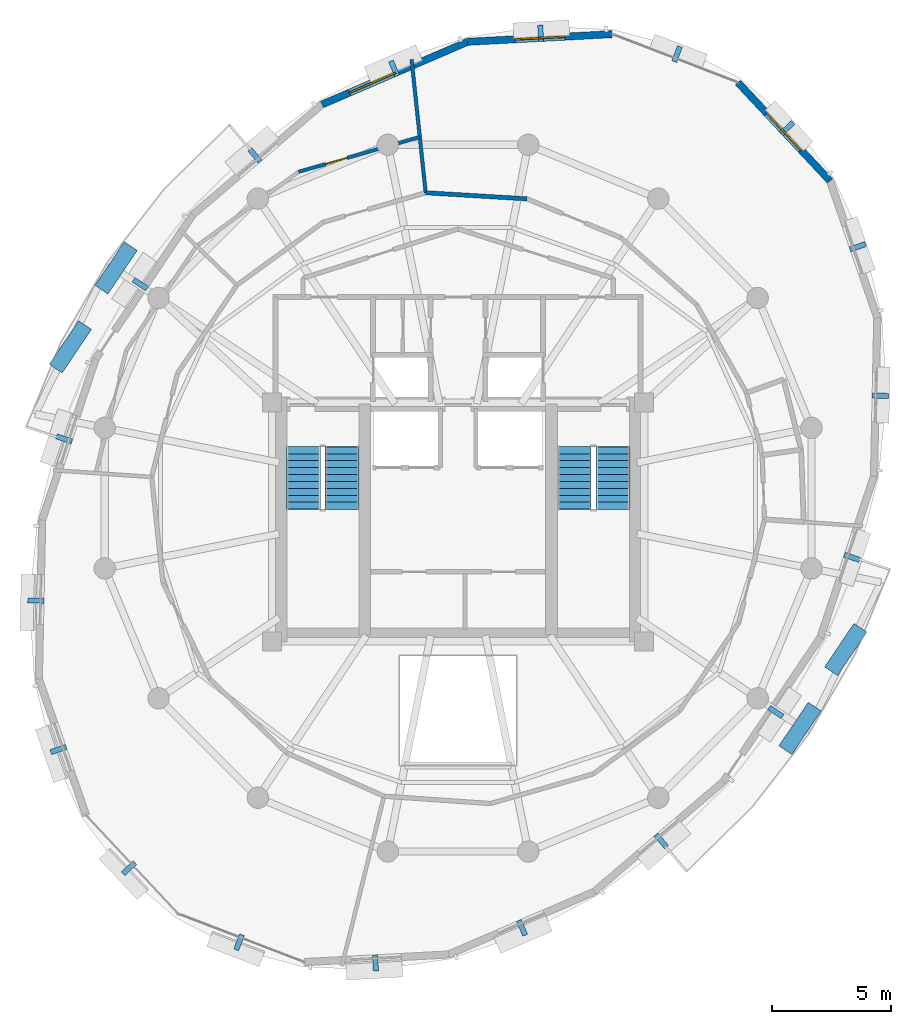
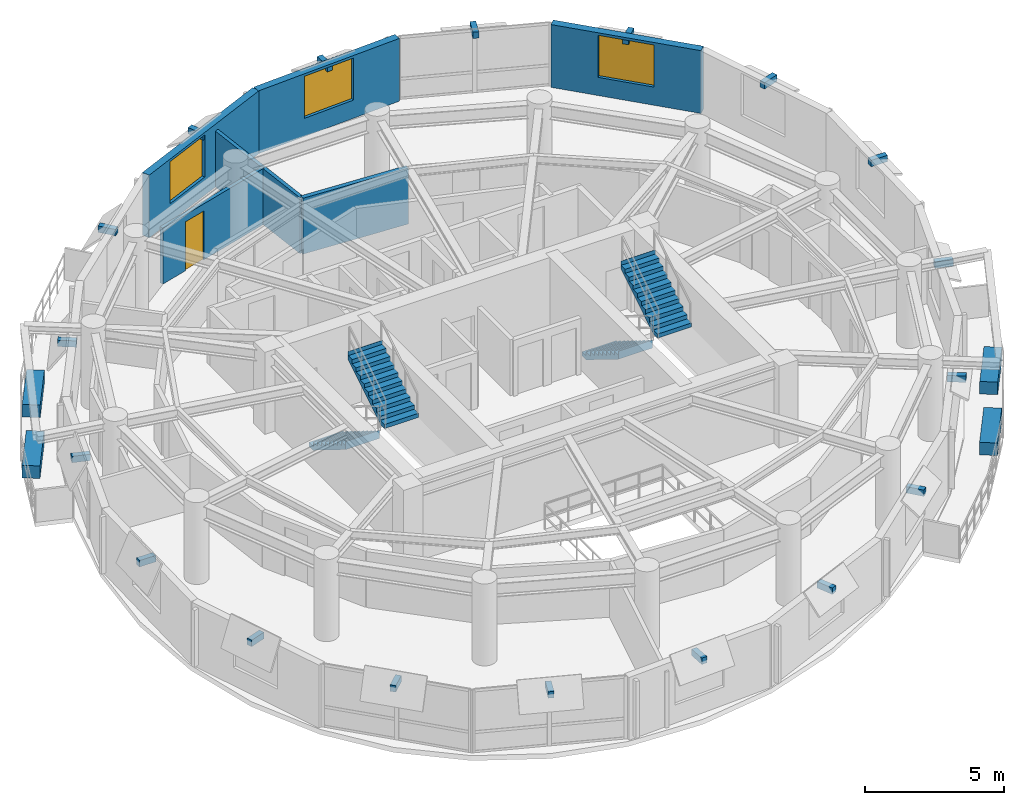
# One storey, part 9 of 11: 22 discrete accessories, 6 walls, 4 stair flights, 3 windows, 1 door, 4 openings, 2 elements without a shape of their own.
"""IFC4 building model written with IfcOpenShell, lengths in metres."""

from ifc_helpers import new_model, si_unit, direction, frame, frame_2d, origin, origin_2d, place, context, subcontext, project, spatial, polyline, rectangle, outline, extrude, material, layer, layer_set, type_object, element, fill, aggregate, save


model = new_model("IFC4")

# Units and contexts
model_context = context("Model", 3, precision=1e-05, world=origin(), true_north=direction((0.0, 1.0)))
body_context = subcontext(model_context, "Body", "Model", "MODEL_VIEW")
ifc_project = project(units=[si_unit("LENGTHUNIT", "METRE"), si_unit("AREAUNIT", "SQUARE_METRE"), si_unit("VOLUMEUNIT", "CUBIC_METRE"), si_unit("PLANEANGLEUNIT", "RADIAN"), si_unit("MASSUNIT", "GRAM", prefix="KILO"), si_unit("THERMODYNAMICTEMPERATUREUNIT", "KELVIN"), si_unit("POWERUNIT", "WATT")], contexts=[model_context])

# Site, building, storey
site_placement = place(None, origin())
site = spatial("IfcSite", under=ifc_project, at=site_placement, CompositionType="ELEMENT")
building_placement = place(site_placement, origin())
building = spatial("IfcBuilding", under=site, at=building_placement, Name="Ocrelia Relay Tower", CompositionType="ELEMENT")
storey_placement = place(building_placement, frame((0.0, 0.0, 262.800048828125)))
storey = spatial("IfcBuildingStorey", under=building, at=storey_placement, Name="L65", CompositionType="ELEMENT", Elevation=262.800048828125)

# Wall
ifc_material_1 = material(Name="Gypsum Fireboard Partition EI60", Category="gypsum")
ifc_layer_1 = layer(ifc_material_1, 0.179931640625, Name="Gypsum Fireboard Partition EI60")
ifc_layer_set_1 = layer_set([ifc_layer_1], Name="Gypsum Fireboard Partition EI60")
wall_type_1 = type_object("IfcWallType", Name="W-CORR-EI60-180", PredefinedType="PARTITIONING", material=ifc_layer_set_1)
wall_1_placement = place(storey_placement, frame((36.88427734375, 38.542724609375, 0.0), z_axis=(0.0, 0.0, 1.0), x_axis=(-0.998188316722, 0.06016713688, 0.0)))
element("IfcWall", 1, at=wall_1_placement, inside=storey, type_object=wall_type_1, Name="L65 Archive Vault Store East Corridor Partition 4", PredefinedType="PARTITIONING", context=body_context, shape_type="SweptSolid", body=[
    extrude(rectangle(XDim=4.24853515625, YDim=0.179931640625, at=frame_2d((2.124267578125, 0.0))), origin(), (0.0, 0.0, 1.0), 2.4599609375),
])

# Wall, opening, window
ifc_material_2 = material(Name="Precast concrete C40/50 with oxide terracotta", Category="masonry")
ifc_layer_2 = layer(ifc_material_2, 0.300048828125, Name="Precast concrete C40/50 with oxide terracotta")
ifc_layer_set_2 = layer_set([ifc_layer_2], Name="Precast concrete C40/50 with oxide terracotta")
wall_type_2 = type_object("IfcWallType", Name="W-EXT-TERR-300", PredefinedType="SOLIDWALL", material=ifc_layer_set_2)
wall_2_placement = place(storey_placement, frame((40.452880859375, 45.444580078125, 0.0), z_axis=(0.0, 0.0, 1.0), x_axis=(-0.998600866894, -0.052880134633, 0.0)))
wall_2 = element("IfcWall", 2, at=wall_2_placement, inside=storey, type_object=wall_type_2, Name="L65 Oxide Terracotta Facade Wall 02", PredefinedType="SOLIDWALL", context=body_context, shape_type="SweptSolid", body=[
    extrude(rectangle(XDim=6.06201171875, YDim=0.300048828125, at=frame_2d((3.031005859375, 0.0))), origin(), (0.0, 0.0, 1.0), 2.760009765625),
])
opening_1_placement = place(wall_2_placement, frame((1.98095703125, 0.0, 0.800048828125)))
opening_1 = element("IfcOpeningElement", 3, at=opening_1_placement, cuts=wall_2, Name="Opening W-07", PredefinedType="OPENING", context=body_context, shape_type="SweptSolid", body=[
    extrude(rectangle(XDim=2.10009765625, YDim=1.85009765625, at=frame_2d((1.050048828125, 0.925048828125))), frame((0.0, 0.16015625, 0.0), z_axis=(0.0, -1.0, 0.0), x_axis=(1.0, 0.0, 0.0)), (0.0, 0.0, 1.0), 0.320068359375),
])
ifc_material_3 = material(Name="Clear double-glazed low-E glass", Category="glass")
window_type = type_object("IfcWindowType", Name="WIN-Z4-2100x2200", PartitioningType="DOUBLE_PANEL_VERTICAL", PredefinedType="WINDOW", material=ifc_material_3)
window_1_placement = place(opening_1_placement, origin())
window_1 = element("IfcWindow", 4, at=window_1_placement, inside=storey, type_object=window_type, Name="L65 Facade Module Window 02", OverallHeight=1.85009765625, OverallWidth=2.10009765625, PartitioningType="SINGLE_PANEL", PredefinedType="WINDOW", context=body_context, shape_type="SweptSolid", body=[
    extrude(rectangle(XDim=2.10009765625, YDim=1.85009765625, at=frame_2d((1.050048828125, 0.925048828125))), frame((0.0, 0.030029296875, 0.0), z_axis=(0.0, -1.0, 0.0), x_axis=(1.0, 0.0, 0.0)), (0.0, 0.0, 1.0), 0.06005859375),
])
fill(opening_1, window_1)

wall_3_placement = place(storey_placement, frame((34.3994140625, 45.1240234375, 0.0), z_axis=(0.0, 0.0, 1.0), x_axis=(-0.918476494061, -0.395475574287, 0.0)))
wall_3 = element("IfcWall", 5, at=wall_3_placement, inside=storey, type_object=wall_type_2, Name="L65 Oxide Terracotta Facade Wall 03", PredefinedType="SOLIDWALL", context=body_context, shape_type="SweptSolid", body=[
    extrude(rectangle(XDim=6.64306640625, YDim=0.300048828125, at=frame_2d((3.321533203125, 0.0))), origin(), (0.0, 0.0, 1.0), 2.760009765625),
])
opening_2_placement = place(wall_3_placement, frame((3.2919921875, 0.0, 0.800048828125)))
opening_2 = element("IfcOpeningElement", 6, at=opening_2_placement, cuts=wall_3, Name="Opening W-07", PredefinedType="OPENING", context=body_context, shape_type="SweptSolid", body=[
    extrude(rectangle(XDim=2.10009765625, YDim=1.85009765625, at=frame_2d((1.050048828125, 0.925048828125))), frame((0.0, 0.16015625, 0.0), z_axis=(0.0, -1.0, 0.0), x_axis=(1.0, 0.0, 0.0)), (0.0, 0.0, 1.0), 0.320068359375),
])
window_2_placement = place(opening_2_placement, origin())
window_2 = element("IfcWindow", 7, at=window_2_placement, inside=storey, type_object=window_type, Name="L65 Facade Module Window 03", OverallHeight=1.85009765625, OverallWidth=2.10009765625, PartitioningType="SINGLE_PANEL", PredefinedType="WINDOW", context=body_context, shape_type="SweptSolid", body=[
    extrude(rectangle(XDim=2.10009765625, YDim=1.85009765625, at=frame_2d((1.050048828125, 0.925048828125))), frame((0.0, 0.030029296875, 0.0), z_axis=(0.0, -1.0, 0.0), x_axis=(1.0, 0.0, 0.0)), (0.0, 0.0, 1.0), 0.06005859375),
])
fill(opening_2, window_2)

wall_4_placement = place(storey_placement, frame((49.58837890625, 39.294189453125, 0.0), z_axis=(0.0, 0.0, 1.0), x_axis=(-0.683255240802, 0.730179618941, 0.0)))
wall_4 = element("IfcWall", 8, at=wall_4_placement, inside=storey, type_object=wall_type_2, Name="L65 Oxide Terracotta Facade Wall 18", PredefinedType="SOLIDWALL", context=body_context, shape_type="SweptSolid", body=[
    extrude(rectangle(XDim=5.650390625, YDim=0.300048828125, at=frame_2d((2.8251953125, 0.0))), origin(), (0.0, 0.0, 1.0), 2.760009765625),
])
opening_3_placement = place(wall_4_placement, frame((1.77490234375, 0.0, 0.800048828125)))
opening_3 = element("IfcOpeningElement", 9, at=opening_3_placement, cuts=wall_4, Name="Opening W-07", PredefinedType="OPENING", context=body_context, shape_type="SweptSolid", body=[
    extrude(rectangle(XDim=2.10009765625, YDim=1.85009765625, at=frame_2d((1.050048828125, 0.925048828125))), frame((0.0, 0.16015625, 0.0), z_axis=(0.0, -1.0, 0.0), x_axis=(1.0, 0.0, 0.0)), (0.0, 0.0, 1.0), 0.320068359375),
])
window_3_placement = place(opening_3_placement, origin())
window_3 = element("IfcWindow", 10, at=window_3_placement, inside=storey, type_object=window_type, Name="L65 Facade Module Window 18", OverallHeight=1.85009765625, OverallWidth=2.10009765625, PartitioningType="SINGLE_PANEL", PredefinedType="WINDOW", context=body_context, shape_type="SweptSolid", body=[
    extrude(rectangle(XDim=2.10009765625, YDim=1.85009765625, at=frame_2d((1.050048828125, 0.925048828125))), frame((0.0, 0.030029296875, 0.0), z_axis=(0.0, -1.0, 0.0), x_axis=(1.0, 0.0, 0.0)), (0.0, 0.0, 1.0), 0.06005859375),
])
fill(opening_3, window_3)

# Wall
ifc_material_4 = material(Name="Acoustic Fireboard Partition EI60", Category="gypsum")
ifc_layer_3 = layer(ifc_material_4, 0.14990234375, Name="Acoustic Fireboard Partition EI60")
ifc_layer_set_3 = layer_set([ifc_layer_3], Name="Acoustic Fireboard Partition EI60")
wall_type_3 = type_object("IfcWallType", Name="W-PART-150", PredefinedType="PARTITIONING", material=ifc_layer_set_3)
wall_5_placement = place(storey_placement, frame((32.6435546875, 38.79833984375, 0.0), z_axis=(0.0, 0.0, 1.0), x_axis=(-0.105410494611, 0.994428794648, 0.0)))
element("IfcWall", 11, at=wall_5_placement, inside=storey, type_object=wall_type_3, Name="L65 Archive Vault Store East Radial Partition", PredefinedType="PARTITIONING", context=body_context, shape_type="SweptSolid", body=[
    extrude(rectangle(XDim=5.62109375, YDim=0.14990234375, at=frame_2d((2.810546875, 0.0))), origin(), (0.0, 0.0, 1.0), 2.4599609375),
])

# Wall, opening, door
wall_6_placement = place(storey_placement, frame((32.39599609375, 41.13525390625, 0.0), z_axis=(0.0, 0.0, 1.0), x_axis=(-0.961020381867, -0.276477531882, 0.0)))
wall_6 = element("IfcWall", 12, at=wall_6_placement, inside=storey, type_object=wall_type_3, Name="L65 Perimeter Registry Store A Mid-Ring Partition 1", PredefinedType="PARTITIONING", context=body_context, shape_type="SweptSolid", body=[
    extrude(rectangle(XDim=5.285888671875, YDim=0.14990234375, at=frame_2d((2.64306640625, 0.0))), origin(), (0.0, 0.0, 1.0), 2.4599609375),
])
opening_4_placement = place(wall_6_placement, frame((3.161865234375, 0.0, 0.0)))
opening_4 = element("IfcOpeningElement", 13, at=opening_4_placement, cuts=wall_6, Name="Opening D-RM95", PredefinedType="OPENING", context=body_context, shape_type="SweptSolid", body=[
    extrude(rectangle(XDim=0.949951171875, YDim=2.14990234375, at=frame_2d((0.47509765625, 1.074951171875))), frame((0.0, 0.0849609375, 0.0), z_axis=(0.0, -1.0, 0.0), x_axis=(1.0, 0.0, 0.0)), (0.0, 0.0, 1.0), 0.169921875),
])
ifc_material_5 = material(Name="Acoustic oak veneer fire door", Category="wood")
door_type = type_object("IfcDoorType", Name="DR-ROOM-950", OperationType="NOTDEFINED", PredefinedType="DOOR", material=ifc_material_5)
door_placement = place(opening_4_placement, origin())
door = element("IfcDoor", 14, at=door_placement, inside=storey, type_object=door_type, Name="L65 Perimeter Registry Store A Connecting Door", OperationType="SINGLE_SWING_RIGHT", OverallHeight=2.14990234375, OverallWidth=0.949951171875, PredefinedType="DOOR", context=body_context, shape_type="SweptSolid", body=[
    extrude(rectangle(XDim=0.949951171875, YDim=2.14990234375, at=frame_2d((0.47509765625, 1.074951171875))), frame((0.0, 0.02490234375, 0.0), z_axis=(0.0, -1.0, 0.0), x_axis=(1.0, 0.0, 0.0)), (0.0, 0.0, 1.0), 0.050048828125),
])
fill(opening_4, door)

# Stair, stair flights
ifc_material_6 = material(Name="Concrete C50/60", Category="concrete")
stair_type = type_object("IfcStairType", Name="ST-DL-1420-R180", PredefinedType="HALF_TURN_STAIR", material=ifc_material_6)
stair_1_placement = place(storey_placement, origin())
stair_1 = element("IfcStair", 15, at=stair_1_placement, inside=storey, type_object=stair_type, Name="L65 West Core Exit Stair ST1", PredefinedType="HALF_TURN_STAIR")
stair_flight_type = type_object("IfcStairFlightType", Name="STF-DL-1420-R180", PredefinedType="STRAIGHT", material=ifc_material_6)
stair_flight_1_placement = place(storey_placement, frame((27.52001953125, 28.14990234375, 0.0), z_axis=(0.0, 0.0, 1.0), x_axis=(0.0, -1.0, 0.0)))
stair_flight_1 = element("IfcStairFlight", 16, at=stair_flight_1_placement, type_object=stair_flight_type, Name="ST1 flight 1", NumberOfRisers=10, NumberOfTreads=9, PredefinedType="STRAIGHT", RiserHeight=0.18, TreadLength=0.29, context=body_context, shape_type="SweptSolid", body=[
    extrude(outline(polyline([(-0.008056640625, 0.0), (-0.008056640625, 0.179931640625), (0.0, 0.179931640625), (0.2900390625, 0.179931640625), (0.2900390625, 0.360107421875), (0.580078125, 0.360107421875), (0.580078125, 0.5400390625), (0.8701171875, 0.5400390625), (0.8701171875, 0.719970703125), (1.159912109375, 0.719970703125), (1.159912109375, 0.89990234375), (1.449951171875, 0.89990234375), (1.449951171875, 1.080078125), (1.739990234375, 1.080078125), (1.739990234375, 1.260009765625), (2.030029296875, 1.260009765625), (2.030029296875, 1.43994140625), (2.320068359375, 1.43994140625), (2.320068359375, 1.6201171875), (2.610107421875, 1.6201171875), (2.610107421875, 1.800048828125), (2.617919921875, 1.800048828125), (2.617919921875, 1.443603515625), (0.2841796875, 0.0), (-0.008056640625, 0.0)])), frame((0.0, 0.7099609375, 0.0), z_axis=(0.0, -1.0, 0.0), x_axis=(1.0, 0.0, 0.0)), (0.0, 0.0, 1.0), 1.419921875),
])
stair_flight_2_placement = place(storey_placement, frame((29.139892578125, 25.5400390625, 1.800048828125), z_axis=(0.0, 0.0, 1.0), x_axis=(0.0, 1.0, 0.0)))
stair_flight_2 = element("IfcStairFlight", 17, at=stair_flight_2_placement, type_object=stair_flight_type, Name="ST1 flight 2", NumberOfRisers=10, NumberOfTreads=9, PredefinedType="STRAIGHT", RiserHeight=0.18, TreadLength=0.29, context=body_context, shape_type="SweptSolid", body=[
    extrude(outline(polyline([(-0.008056640625, 0.0), (-0.008056640625, 0.179931640625), (0.0, 0.179931640625), (0.2900390625, 0.179931640625), (0.2900390625, 0.360107421875), (0.580078125, 0.360107421875), (0.580078125, 0.5400390625), (0.8701171875, 0.5400390625), (0.8701171875, 0.719970703125), (1.159912109375, 0.719970703125), (1.159912109375, 0.89990234375), (1.449951171875, 0.89990234375), (1.449951171875, 1.080078125), (1.739990234375, 1.080078125), (1.739990234375, 1.260009765625), (2.030029296875, 1.260009765625), (2.030029296875, 1.43994140625), (2.320068359375, 1.43994140625), (2.320068359375, 1.6201171875), (2.610107421875, 1.6201171875), (2.610107421875, 1.800048828125), (2.617919921875, 1.800048828125), (2.617919921875, 1.443603515625), (0.2841796875, 0.0), (-0.008056640625, 0.0)])), frame((0.0, 0.7099609375, 0.0), z_axis=(0.0, -1.0, 0.0), x_axis=(1.0, 0.0, 0.0)), (0.0, 0.0, 1.0), 1.419921875),
])
aggregate(stair_1, [stair_flight_1, stair_flight_2])

stair_2_placement = place(storey_placement, origin())
stair_2 = element("IfcStair", 18, at=stair_2_placement, inside=storey, type_object=stair_type, Name="L65 East Core Exit Stair ST2", PredefinedType="HALF_TURN_STAIR")
stair_flight_3_placement = place(storey_placement, frame((38.8701171875, 28.14990234375, 0.0), z_axis=(0.0, 0.0, 1.0), x_axis=(0.0, -1.0, 0.0)))
stair_flight_3 = element("IfcStairFlight", 19, at=stair_flight_3_placement, type_object=stair_flight_type, Name="ST2 flight 1", NumberOfRisers=10, NumberOfTreads=9, PredefinedType="STRAIGHT", RiserHeight=0.18, TreadLength=0.29, context=body_context, shape_type="SweptSolid", body=[
    extrude(outline(polyline([(-0.008056640625, 0.0), (-0.008056640625, 0.179931640625), (0.0, 0.179931640625), (0.2900390625, 0.179931640625), (0.2900390625, 0.360107421875), (0.580078125, 0.360107421875), (0.580078125, 0.5400390625), (0.8701171875, 0.5400390625), (0.8701171875, 0.719970703125), (1.159912109375, 0.719970703125), (1.159912109375, 0.89990234375), (1.449951171875, 0.89990234375), (1.449951171875, 1.080078125), (1.739990234375, 1.080078125), (1.739990234375, 1.260009765625), (2.030029296875, 1.260009765625), (2.030029296875, 1.43994140625), (2.320068359375, 1.43994140625), (2.320068359375, 1.6201171875), (2.610107421875, 1.6201171875), (2.610107421875, 1.800048828125), (2.617919921875, 1.800048828125), (2.617919921875, 1.443603515625), (0.2841796875, 0.0), (-0.008056640625, 0.0)])), frame((0.0, 0.7099609375, 0.0), z_axis=(0.0, -1.0, 0.0), x_axis=(1.0, 0.0, 0.0)), (0.0, 0.0, 1.0), 1.419921875),
])
stair_flight_4_placement = place(storey_placement, frame((40.489990234375, 25.5400390625, 1.800048828125), z_axis=(0.0, 0.0, 1.0), x_axis=(0.0, 1.0, 0.0)))
stair_flight_4 = element("IfcStairFlight", 20, at=stair_flight_4_placement, type_object=stair_flight_type, Name="ST2 flight 2", NumberOfRisers=10, NumberOfTreads=9, PredefinedType="STRAIGHT", RiserHeight=0.18, TreadLength=0.29, context=body_context, shape_type="SweptSolid", body=[
    extrude(outline(polyline([(-0.008056640625, 0.0), (-0.008056640625, 0.179931640625), (0.0, 0.179931640625), (0.2900390625, 0.179931640625), (0.2900390625, 0.360107421875), (0.580078125, 0.360107421875), (0.580078125, 0.5400390625), (0.8701171875, 0.5400390625), (0.8701171875, 0.719970703125), (1.159912109375, 0.719970703125), (1.159912109375, 0.89990234375), (1.449951171875, 0.89990234375), (1.449951171875, 1.080078125), (1.739990234375, 1.080078125), (1.739990234375, 1.260009765625), (2.030029296875, 1.260009765625), (2.030029296875, 1.43994140625), (2.320068359375, 1.43994140625), (2.320068359375, 1.6201171875), (2.610107421875, 1.6201171875), (2.610107421875, 1.800048828125), (2.617919921875, 1.800048828125), (2.617919921875, 1.443603515625), (0.2841796875, 0.0), (-0.008056640625, 0.0)])), frame((0.0, 0.7099609375, 0.0), z_axis=(0.0, -1.0, 0.0), x_axis=(1.0, 0.0, 0.0)), (0.0, 0.0, 1.0), 1.419921875),
])
aggregate(stair_2, [stair_flight_3, stair_flight_4])

# Discrete accessories
ifc_material_7 = material(Name="Precast concrete C40/50 planter with highland greenery", Category="concrete")
discrete_accessory_type_1 = type_object("IfcDiscreteAccessoryType", Name="ACC-BALC-PLANTER", PredefinedType="USERDEFINED", material=ifc_material_7)
for number, where, z_axis, x_axis, name in (
    (21, (19.66796875, 35.648681640625, 0.0), (0.0, 0.0, 1.0), (0.558474948161, 0.829521387474, 0.0), "L65 Balcony Terracotta Planter with Greenery B1"),
    (22, (17.751220703125, 32.342529296875, 0.0), (0.0, 0.0, 1.0), (0.558474948161, 0.829521387474, 0.0), "L65 Balcony Terracotta Planter B1-2"),
    (23, (48.33203125, 16.351318359375, 0.0), (0.0, 0.0, 1.0), (-0.558474948161, -0.829521387474, 0.0), "L65 Balcony Terracotta Planter with Greenery B2"),
    (24, (50.248779296875, 19.657470703125, 0.0), (0.0, 0.0, 1.0), (-0.558474948161, -0.829521387474, 0.0), "L65 Balcony Terracotta Planter B2-2"),
):
    element("IfcDiscreteAccessory", number, at=place(storey_placement, frame(where, z_axis=z_axis, x_axis=x_axis)), inside=storey, type_object=discrete_accessory_type_1, Name=name, ObjectType="PLANTER", PredefinedType="USERDEFINED", context=body_context, shape_type="SweptSolid", body=[
        extrude(rectangle(XDim=2.199951171875, YDim=0.64990234375, at=origin_2d()), origin(), (0.0, 0.0, 1.0), 0.550048828125),
    ])
ifc_material_8 = material(Name="Steel S355", Category="steel")
discrete_accessory_type_2 = type_object("IfcDiscreteAccessoryType", Name="ACC-VISOR-BRACKET", PredefinedType="BRACKET", material=ifc_material_8)
for number, where, z_axis, x_axis, name in (
    (25, (43.1787109375, 44.61181640625, 2.4599609375), (0.0, 0.0, 1.0), (-0.93359352181, 0.358333833227, 0.0), "L65 Visor Mounting Bracket 01"),
    (26, (37.461181640625, 45.481201171875, 2.4599609375), (0.0, 0.0, 1.0), (-0.99859958696, -0.052904299663, 0.0), "L65 Visor Mounting Bracket 02"),
    (27, (31.319091796875, 44.00830078125, 2.4599609375), (0.0, 0.0, 1.0), (-0.918477227414, -0.395473871099, 0.0), "L65 Visor Mounting Bracket 03"),
    (28, (25.489013671875, 40.3603515625, 2.4599609375), (0.0, 0.0, 1.0), (-0.760866402247, -0.648908558991, 0.0), "L65 Visor Mounting Bracket 04"),
    (29, (20.681640625, 34.96630859375, 2.4599609375), (0.0, 0.0, 1.0), (-0.55847562768, -0.829520929987, 0.0), "L65 Visor Mounting Bracket 05"),
    (30, (17.49267578125, 28.48291015625, 2.4599609375), (0.0, 0.0, 1.0), (-0.314958373679, -0.949105485628, 0.0), "L65 Visor Mounting Bracket 06"),
    (31, (16.306396484375, 21.708740234375, 2.4599609375), (0.0, 0.0, 1.0), (-0.020878655431, -0.999782017115, 0.0), "L65 Visor Mounting Bracket 07"),
    (32, (17.252197265625, 15.4638671875, 2.4599609375), (0.0, 0.0, 1.0), (0.326685580937, -0.945133075925, 0.0), "L65 Visor Mounting Bracket 08"),
    (33, (20.208984375, 10.493408203125, 2.4599609375), (0.0, 0.0, 1.0), (0.683240243185, -0.73019365246, 0.0), "L65 Visor Mounting Bracket 09"),
    (34, (24.8212890625, 7.38818359375, 2.4599609375), (0.0, 0.0, 1.0), (0.93359352181, -0.358333833227, 0.0), "L65 Visor Mounting Bracket 10"),
    (35, (30.538818359375, 6.518798828125, 2.4599609375), (0.0, 0.0, 1.0), (0.99859958696, 0.052904299663, 0.0), "L65 Visor Mounting Bracket 11"),
    (36, (36.680908203125, 7.99169921875, 2.4599609375), (0.0, 0.0, 1.0), (0.918477227414, 0.395473871099, 0.0), "L65 Visor Mounting Bracket 12"),
    (37, (42.510986328125, 11.6396484375, 2.4599609375), (0.0, 0.0, 1.0), (0.760866402247, 0.648908558991, 0.0), "L65 Visor Mounting Bracket 13"),
    (38, (47.318359375, 17.03369140625, 2.4599609375), (0.0, 0.0, 1.0), (0.55847562768, 0.829520929987, 0.0), "L65 Visor Mounting Bracket 14"),
    (39, (50.50732421875, 23.51708984375, 2.4599609375), (0.0, 0.0, 1.0), (0.314958373679, 0.949105485628, 0.0), "L65 Visor Mounting Bracket 15"),
    (40, (51.693603515625, 30.291259765625, 2.4599609375), (0.0, 0.0, 1.0), (0.020878655431, 0.999782017115, 0.0), "L65 Visor Mounting Bracket 16"),
    (41, (50.747802734375, 36.5361328125, 2.4599609375), (0.0, 0.0, 1.0), (-0.326685580937, 0.945133075925, 0.0), "L65 Visor Mounting Bracket 17"),
    (42, (47.791015625, 41.506591796875, 2.4599609375), (0.0, 0.0, 1.0), (-0.683240243185, 0.73019365246, 0.0), "L65 Visor Mounting Bracket 18"),
):
    element("IfcDiscreteAccessory", number, at=place(storey_placement, frame(where, z_axis=z_axis, x_axis=x_axis)), inside=storey, type_object=discrete_accessory_type_2, Name=name, PredefinedType="BRACKET", context=body_context, shape_type="SweptSolid", body=[
        extrude(rectangle(XDim=0.219970703125, YDim=0.679931640625, at=origin_2d()), origin(), (0.0, 0.0, 1.0), 0.280029296875),
    ])

save(model, "model.ifc")
